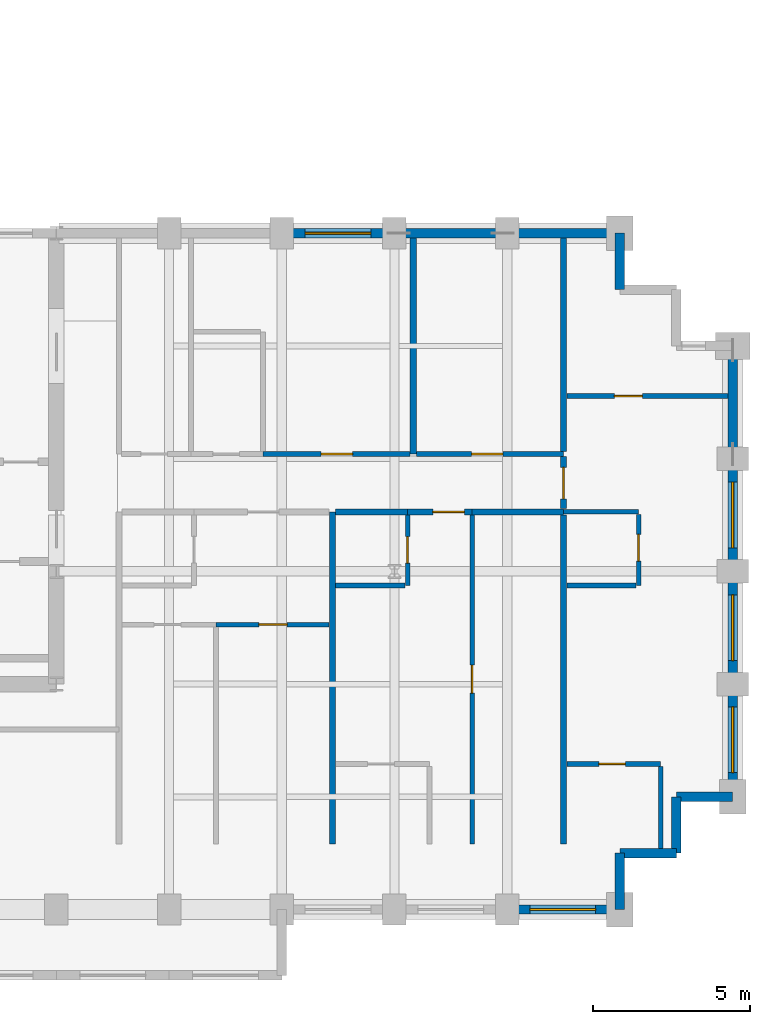
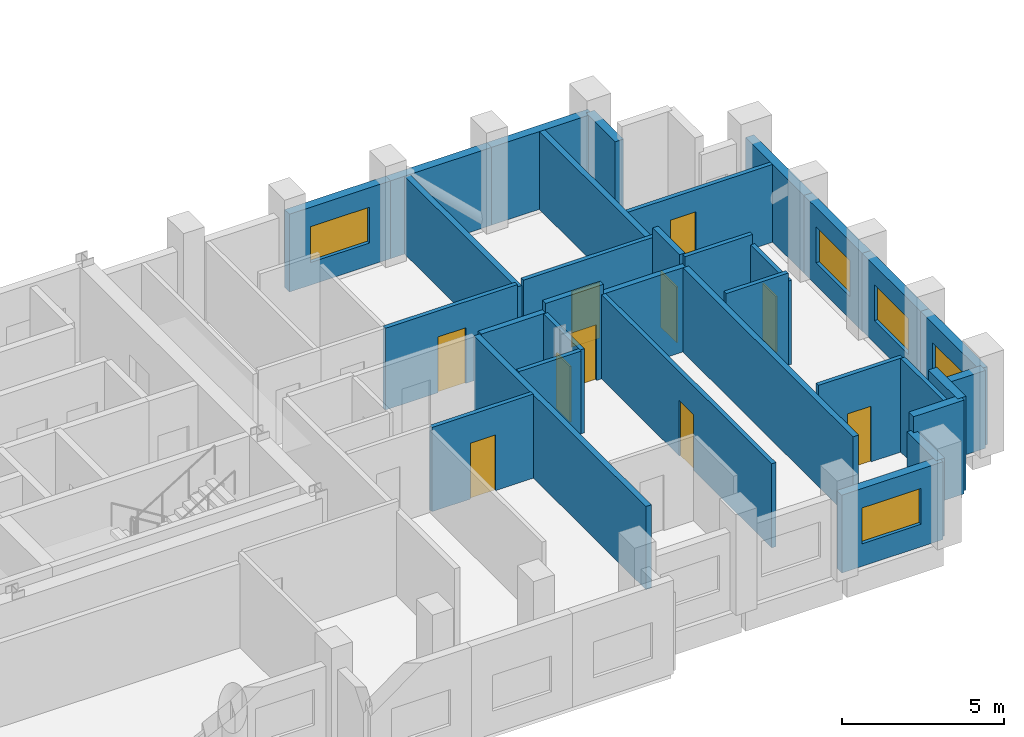
# One storey, part 6 of 9: 33 walls, 10 doors, 5 windows, 15 openings.
"""IFC4 building model written with IfcOpenShell, lengths in metres."""

from ifc_helpers import new_model, si_unit, direction, frame, frame_2d, origin, place, context, subcontext, project, spatial, rectangle, extrude, material, layer, layer_set, type_object, element, fill, save


model = new_model("IFC4")

# Units and contexts
model_context = context("Model", 3, precision=1e-05, world=origin(), true_north=direction((0.0, 1.0)))
body_context = subcontext(model_context, "Body", "Model", "MODEL_VIEW")
ifc_project = project(units=[si_unit("LENGTHUNIT", "METRE"), si_unit("AREAUNIT", "SQUARE_METRE"), si_unit("VOLUMEUNIT", "CUBIC_METRE"), si_unit("PLANEANGLEUNIT", "RADIAN"), si_unit("MASSUNIT", "GRAM", prefix="KILO")], contexts=[model_context])

# Site, building, storey
site_placement = place(None, origin())
site = spatial("IfcSite", under=ifc_project, at=site_placement, CompositionType="ELEMENT")
building_placement = place(site_placement, origin())
building = spatial("IfcBuilding", under=site, at=building_placement, Name="Solnavia Interchange Tower", CompositionType="ELEMENT")
storey_placement = place(building_placement, frame((0.0, 0.0, 131.39990234375)))
storey = spatial("IfcBuildingStorey", under=building, at=storey_placement, Name="L32", CompositionType="ELEMENT", Elevation=131.39990234375)

# Walls
ifc_material_1 = material(Name="Gypsum Acoustic Twin-Stud & Mineral Wool", Category="gypsum")
ifc_layer_1 = layer(ifc_material_1, 0.199951171875)
ifc_layer_set_1 = layer_set([ifc_layer_1], Name="Gypsum Acoustic Twin-Stud & Mineral Wool")
wall_type_1 = type_object("IfcWallType", Name="Wall-ApartmentParty-200", PredefinedType="PARTITIONING", material=ifc_layer_set_1)
wall_1_placement = place(storey_placement, frame((41.219970703125, 5.699951171875, 0.0), z_axis=(0.0, 0.0, 1.0), x_axis=(0.0, 1.0, 0.0)))
element("IfcWall", 1, at=wall_1_placement, inside=storey, type_object=wall_type_1, Name="PTW-L32-16 Interior partition wall", PredefinedType="PARTITIONING", context=body_context, shape_type="SweptSolid", body=[
    extrude(rectangle(XDim=10.60009765625, YDim=0.199951171875, at=frame_2d((5.300048828125, 0.0))), origin(), (0.0, 0.0, 1.0), 3.130126953125),
])
wall_2_placement = place(storey_placement, frame((41.323974609375, 16.300048828125, 0.0), z_axis=(0.0, 0.0, 1.0), x_axis=(1.0, 0.0, 0.0)))
element("IfcWall", 2, at=wall_2_placement, inside=storey, type_object=wall_type_1, Name="PTW-L32-24 Interior partition wall", PredefinedType="PARTITIONING", context=body_context, shape_type="SweptSolid", body=[
    extrude(rectangle(XDim=2.296142578125, YDim=0.199951171875, at=frame_2d((1.14794921875, 0.0))), origin(), (0.0, 0.0, 1.0), 3.18017578125),
])

# Wall, opening, door
wall_3_placement = place(storey_placement, frame((43.6201171875, 16.300048828125, 0.0), z_axis=(0.0, 0.0, 1.0), x_axis=(1.0, 0.0, 0.0)))
wall_3 = element("IfcWall", 3, at=wall_3_placement, inside=storey, type_object=wall_type_1, Name="PTW-L32-27 Interior partition wall", PredefinedType="PARTITIONING", context=body_context, shape_type="SweptSolid", body=[
    extrude(rectangle(XDim=2.059814453125, YDim=0.199951171875, at=frame_2d((1.02978515625, 0.0))), origin(), (0.0, 0.0, 1.0), 3.53515625),
])
opening_1_placement = place(wall_3_placement, frame((0.81005859375, 0.0, 0.0)))
opening_1 = element("IfcOpeningElement", 4, at=opening_1_placement, cuts=wall_3, Name="Opening DR-06", PredefinedType="OPENING", context=body_context, shape_type="SweptSolid", body=[
    extrude(rectangle(XDim=1.0, YDim=2.10009765625, at=frame_2d((0.5, 1.050048828125))), frame((0.0, 0.10986328125, 0.0), z_axis=(0.0, -1.0, 0.0), x_axis=(1.0, 0.0, 0.0)), (0.0, 0.0, 1.0), 0.219970703125),
])
ifc_material_2 = material(Name="Engineered Timber Acoustic Fire Door", Category="wood")
door_type_1 = type_object("IfcDoorType", Name="Door-FlatEntry-1000x2100", OperationType="SINGLE_SWING_LEFT", PredefinedType="DOOR", material=ifc_material_2)
door_1_placement = place(opening_1_placement, origin())
door_1 = element("IfcDoor", 5, at=door_1_placement, inside=storey, type_object=door_type_1, Name="DR-L32-12 Interior room door", OperationType="SINGLE_SWING_LEFT", OverallHeight=2.10009765625, OverallWidth=1.0, PredefinedType="DOOR", context=body_context, shape_type="SweptSolid", body=[
    extrude(rectangle(XDim=1.0, YDim=2.10009765625, at=frame_2d((0.5, 1.050048828125))), frame((0.0, 0.02490234375, 0.0), z_axis=(0.0, -1.0, 0.0), x_axis=(1.0, 0.0, 0.0)), (0.0, 0.0, 1.0), 0.050048828125),
])
fill(opening_1, door_1)

# Walls
wall_4_placement = place(storey_placement, frame((45.679931640625, 16.300048828125, 0.0), z_axis=(0.0, 0.0, 1.0), x_axis=(1.0, 0.0, 0.0)))
element("IfcWall", 6, at=wall_4_placement, inside=storey, type_object=wall_type_1, Name="PTW-L32-28 Interior partition wall", PredefinedType="PARTITIONING", context=body_context, shape_type="SweptSolid", body=[
    extrude(rectangle(XDim=2.920166015625, YDim=0.199951171875, at=frame_2d((1.4599609375, 0.0))), origin(), (0.0, 0.0, 1.0), 3.170166015625),
])
wall_5_placement = place(storey_placement, frame((43.800048828125, 18.14990234375, 0.0), z_axis=(0.0, 0.0, 1.0), x_axis=(0.0, 1.0, 0.0)))
element("IfcWall", 7, at=wall_5_placement, inside=storey, type_object=wall_type_1, Name="PTW-L32-32 Interior partition wall", PredefinedType="PARTITIONING", context=body_context, shape_type="SweptSolid", body=[
    extrude(rectangle(XDim=6.89599609375, YDim=0.199951171875, at=frame_2d((3.447998046875, 0.0))), origin(), (0.0, 0.0, 1.0), 2.93017578125),
])
wall_6_placement = place(storey_placement, frame((48.60009765625, 5.699951171875, 0.0), z_axis=(0.0, 0.0, 1.0), x_axis=(0.0, 1.0, 0.0)))
element("IfcWall", 8, at=wall_6_placement, inside=storey, type_object=wall_type_1, Name="PTW-L32-35 Interior partition wall", PredefinedType="PARTITIONING", context=body_context, shape_type="SweptSolid", body=[
    extrude(rectangle(XDim=10.49609375, YDim=0.199951171875, at=frame_2d((5.248046875, 0.0))), origin(), (0.0, 0.0, 1.0), 3.170166015625),
])
wall_7_placement = place(storey_placement, frame((48.60009765625, 18.22900390625, 0.0), z_axis=(0.0, 0.0, 1.0), x_axis=(0.0, 1.0, 0.0)))
element("IfcWall", 9, at=wall_7_placement, inside=storey, type_object=wall_type_1, Name="PTW-L32-36 Interior partition wall", PredefinedType="PARTITIONING", context=body_context, shape_type="SweptSolid", body=[
    extrude(rectangle(XDim=6.81689453125, YDim=0.199951171875, at=frame_2d((3.408447265625, 0.0))), origin(), (0.0, 0.0, 1.0), 2.93017578125),
])

# Wall, opening, door
wall_8_placement = place(storey_placement, frame((48.60009765625, 16.404052734375, 0.0), z_axis=(0.0, 0.0, 1.0), x_axis=(0.0, 1.0, 0.0)))
wall_8 = element("IfcWall", 10, at=wall_8_placement, inside=storey, type_object=wall_type_1, Name="PTW-L32-37 Interior partition wall", PredefinedType="PARTITIONING", context=body_context, shape_type="SweptSolid", body=[
    extrude(rectangle(XDim=1.6669921875, YDim=0.199951171875, at=frame_2d((0.83349609375, 0.0))), origin(), (0.0, 0.0, 1.0), 3.53515625),
])
opening_2_placement = place(wall_8_placement, frame((0.31396484375, 0.0, 0.0)))
opening_2 = element("IfcOpeningElement", 11, at=opening_2_placement, cuts=wall_8, Name="Opening DR-06", PredefinedType="OPENING", context=body_context, shape_type="SweptSolid", body=[
    extrude(rectangle(XDim=1.0, YDim=2.10009765625, at=frame_2d((0.5, 1.050048828125))), frame((0.0, 0.10986328125, 0.0), z_axis=(0.0, -1.0, 0.0), x_axis=(1.0, 0.0, 0.0)), (0.0, 0.0, 1.0), 0.219970703125),
])
door_2_placement = place(opening_2_placement, origin())
door_2 = element("IfcDoor", 12, at=door_2_placement, inside=storey, type_object=door_type_1, Name="DR-L32-17 Interior room door", OperationType="SINGLE_SWING_RIGHT", OverallHeight=2.10009765625, OverallWidth=1.0, PredefinedType="DOOR", context=body_context, shape_type="SweptSolid", body=[
    extrude(rectangle(XDim=1.0, YDim=2.10009765625, at=frame_2d((0.5, 1.050048828125))), frame((0.0, 0.02490234375, 0.0), z_axis=(0.0, -1.0, 0.0), x_axis=(1.0, 0.0, 0.0)), (0.0, 0.0, 1.0), 0.050048828125),
])
fill(opening_2, door_2)

# Wall, opening, window
ifc_material_3 = material(Name="Concrete C40/50", Category="concrete")
ifc_layer_2 = layer(ifc_material_3, 0.300048828125)
ifc_layer_set_2 = layer_set([ifc_layer_2], Name="Concrete C40/50")
wall_type_2 = type_object("IfcWallType", Name="Wall-ExtSpandrel-300", PredefinedType="STANDARD", material=ifc_layer_set_2)
wall_9_placement = place(storey_placement, frame((50.39990234375, 3.60009765625, 0.0), z_axis=(0.0, 0.0, 1.0), x_axis=(-1.0, 0.0, 0.0)))
wall_9 = element("IfcWall", 13, at=wall_9_placement, inside=storey, type_object=wall_type_2, Name="EXW-L32-09 Exterior precast spandrel wall", PredefinedType="STANDARD", context=body_context, shape_type="SweptSolid", body=[
    extrude(rectangle(XDim=3.599853515625, YDim=0.300048828125, at=frame_2d((1.7998046875, 0.0))), origin(), (0.0, 0.0, 1.0), 2.93017578125),
])
opening_3_placement = place(wall_9_placement, frame((0.77490234375, 0.0, 0.85009765625)))
opening_3 = element("IfcOpeningElement", 14, at=opening_3_placement, cuts=wall_9, Name="Opening WIN-01", PredefinedType="OPENING", context=body_context, shape_type="SweptSolid", body=[
    extrude(rectangle(XDim=2.10009765625, YDim=1.35009765625, at=frame_2d((1.050048828125, 0.675048828125))), frame((0.0, 0.16015625, 0.0), z_axis=(0.0, -1.0, 0.0), x_axis=(1.0, 0.0, 0.0)), (0.0, 0.0, 1.0), 0.320068359375),
])
ifc_material_4 = material(Name="Thermal-Break Aluminium & Low-E Glass", Category="aluminium")
window_type = type_object("IfcWindowType", Name="Window-Ribbon-2100x1350", PartitioningType="SINGLE_PANEL", PredefinedType="WINDOW", material=ifc_material_4)
window_1_placement = place(opening_3_placement, origin())
window_1 = element("IfcWindow", 15, at=window_1_placement, inside=storey, type_object=window_type, Name="WIN-L32-09 Facade ribbon window", OverallHeight=1.35009765625, OverallWidth=2.10009765625, PartitioningType="SINGLE_PANEL", PredefinedType="WINDOW", context=body_context, shape_type="SweptSolid", body=[
    extrude(rectangle(XDim=2.10009765625, YDim=1.35009765625, at=frame_2d((1.050048828125, 0.675048828125))), frame((0.0, 0.030029296875, 0.0), z_axis=(0.0, -1.0, 0.0), x_axis=(1.0, 0.0, 0.0)), (0.0, 0.0, 1.0), 0.06005859375),
])
fill(opening_3, window_1)

# Walls
wall_10_placement = place(storey_placement, frame((50.39990234375, 5.39990234375, 0.0), z_axis=(0.0, 0.0, 1.0), x_axis=(0.0, -1.0, 0.0)))
element("IfcWall", 16, at=wall_10_placement, inside=storey, type_object=wall_type_2, Name="EXW-L32-10 Exterior precast spandrel wall", PredefinedType="STANDARD", context=body_context, shape_type="SweptSolid", body=[
    extrude(rectangle(XDim=1.7998046875, YDim=0.300048828125, at=frame_2d((0.89990234375, 0.0))), origin(), (0.0, 0.0, 1.0), 2.93017578125),
])
for number, where, z_axis, x_axis, name in (
    (17, (52.199951171875, 5.39990234375, 0.0), (0.0, 0.0, 1.0), (-1.0, 0.0, 0.0), "EXW-L32-11 Exterior precast spandrel wall"),
    (18, (52.199951171875, 7.199951171875, 0.0), (0.0, 0.0, 1.0), (0.0, -1.0, 0.0), "EXW-L32-12 Exterior precast spandrel wall"),
):
    element("IfcWall", number, at=place(storey_placement, frame(where, z_axis=z_axis, x_axis=x_axis)), inside=storey, type_object=wall_type_2, Name=name, PredefinedType="STANDARD", context=body_context, shape_type="SweptSolid", body=[
        extrude(rectangle(XDim=1.800048828125, YDim=0.300048828125, at=frame_2d((0.89990234375, 0.0))), origin(), (0.0, 0.0, 1.0), 3.53515625),
    ])
wall_11_placement = place(storey_placement, frame((54.0, 7.199951171875, 0.0), z_axis=(0.0, 0.0, 1.0), x_axis=(-1.0, 0.0, 0.0)))
element("IfcWall", 19, at=wall_11_placement, inside=storey, type_object=wall_type_2, Name="EXW-L32-13 Exterior precast spandrel wall", PredefinedType="STANDARD", context=body_context, shape_type="SweptSolid", body=[
    extrude(rectangle(XDim=1.800048828125, YDim=0.300048828125, at=frame_2d((0.89990234375, 0.0))), origin(), (0.0, 0.0, 1.0), 2.93017578125),
])

# Wall, opening, window
wall_12_placement = place(storey_placement, frame((54.0, 10.800048828125, 0.0), z_axis=(0.0, 0.0, 1.0), x_axis=(0.0, -1.0, 0.0)))
wall_12 = element("IfcWall", 20, at=wall_12_placement, inside=storey, type_object=wall_type_2, Name="EXW-L32-14 Exterior precast spandrel wall", PredefinedType="STANDARD", context=body_context, shape_type="SweptSolid", body=[
    extrude(rectangle(XDim=3.60009765625, YDim=0.300048828125, at=frame_2d((1.800048828125, 0.0))), origin(), (0.0, 0.0, 1.0), 2.93017578125),
])
opening_4_placement = place(wall_12_placement, frame((0.72509765625, 0.0, 0.85009765625)))
opening_4 = element("IfcOpeningElement", 21, at=opening_4_placement, cuts=wall_12, Name="Opening WIN-01", PredefinedType="OPENING", context=body_context, shape_type="SweptSolid", body=[
    extrude(rectangle(XDim=2.10009765625, YDim=1.35009765625, at=frame_2d((1.050048828125, 0.675048828125))), frame((0.0, 0.16015625, 0.0), z_axis=(0.0, -1.0, 0.0), x_axis=(1.0, 0.0, 0.0)), (0.0, 0.0, 1.0), 0.320068359375),
])
window_2_placement = place(opening_4_placement, origin())
window_2 = element("IfcWindow", 22, at=window_2_placement, inside=storey, type_object=window_type, Name="WIN-L32-14 Facade ribbon window", OverallHeight=1.35009765625, OverallWidth=2.10009765625, PartitioningType="SINGLE_PANEL", PredefinedType="WINDOW", context=body_context, shape_type="SweptSolid", body=[
    extrude(rectangle(XDim=2.10009765625, YDim=1.35009765625, at=frame_2d((1.050048828125, 0.675048828125))), frame((0.0, 0.030029296875, 0.0), z_axis=(0.0, -1.0, 0.0), x_axis=(1.0, 0.0, 0.0)), (0.0, 0.0, 1.0), 0.06005859375),
])
fill(opening_4, window_2)

wall_13_placement = place(storey_placement, frame((54.0, 14.39990234375, 0.0), z_axis=(0.0, 0.0, 1.0), x_axis=(0.0, -1.0, 0.0)))
wall_13 = element("IfcWall", 23, at=wall_13_placement, inside=storey, type_object=wall_type_2, Name="EXW-L32-15 Exterior precast spandrel wall", PredefinedType="STANDARD", context=body_context, shape_type="SweptSolid", body=[
    extrude(rectangle(XDim=3.599853515625, YDim=0.300048828125, at=frame_2d((1.7998046875, 0.0))), origin(), (0.0, 0.0, 1.0), 2.93017578125),
])
opening_5_placement = place(wall_13_placement, frame((0.75, 0.0, 0.85009765625)))
opening_5 = element("IfcOpeningElement", 24, at=opening_5_placement, cuts=wall_13, Name="Opening WIN-01", PredefinedType="OPENING", context=body_context, shape_type="SweptSolid", body=[
    extrude(rectangle(XDim=2.10009765625, YDim=1.35009765625, at=frame_2d((1.050048828125, 0.675048828125))), frame((0.0, 0.16015625, 0.0), z_axis=(0.0, -1.0, 0.0), x_axis=(1.0, 0.0, 0.0)), (0.0, 0.0, 1.0), 0.320068359375),
])
window_3_placement = place(opening_5_placement, origin())
window_3 = element("IfcWindow", 25, at=window_3_placement, inside=storey, type_object=window_type, Name="WIN-L32-15 Facade ribbon window", OverallHeight=1.35009765625, OverallWidth=2.10009765625, PartitioningType="SINGLE_PANEL", PredefinedType="WINDOW", context=body_context, shape_type="SweptSolid", body=[
    extrude(rectangle(XDim=2.10009765625, YDim=1.35009765625, at=frame_2d((1.050048828125, 0.675048828125))), frame((0.0, 0.030029296875, 0.0), z_axis=(0.0, -1.0, 0.0), x_axis=(1.0, 0.0, 0.0)), (0.0, 0.0, 1.0), 0.06005859375),
])
fill(opening_5, window_3)

wall_14_placement = place(storey_placement, frame((54.0, 18.0, 0.0), z_axis=(0.0, 0.0, 1.0), x_axis=(0.0, -1.0, 0.0)))
wall_14 = element("IfcWall", 26, at=wall_14_placement, inside=storey, type_object=wall_type_2, Name="EXW-L32-16 Exterior precast spandrel wall", PredefinedType="STANDARD", context=body_context, shape_type="SweptSolid", body=[
    extrude(rectangle(XDim=3.60009765625, YDim=0.300048828125, at=frame_2d((1.800048828125, 0.0))), origin(), (0.0, 0.0, 1.0), 2.93017578125),
])
opening_6_placement = place(wall_14_placement, frame((0.75, 0.0, 0.85009765625)))
opening_6 = element("IfcOpeningElement", 27, at=opening_6_placement, cuts=wall_14, Name="Opening WIN-01", PredefinedType="OPENING", context=body_context, shape_type="SweptSolid", body=[
    extrude(rectangle(XDim=2.10009765625, YDim=1.35009765625, at=frame_2d((1.050048828125, 0.675048828125))), frame((0.0, 0.16015625, 0.0), z_axis=(0.0, -1.0, 0.0), x_axis=(1.0, 0.0, 0.0)), (0.0, 0.0, 1.0), 0.320068359375),
])
window_4_placement = place(opening_6_placement, origin())
window_4 = element("IfcWindow", 28, at=window_4_placement, inside=storey, type_object=window_type, Name="WIN-L32-16 Facade ribbon window", OverallHeight=1.35009765625, OverallWidth=2.10009765625, PartitioningType="SINGLE_PANEL", PredefinedType="WINDOW", context=body_context, shape_type="SweptSolid", body=[
    extrude(rectangle(XDim=2.10009765625, YDim=1.35009765625, at=frame_2d((1.050048828125, 0.675048828125))), frame((0.0, 0.030029296875, 0.0), z_axis=(0.0, -1.0, 0.0), x_axis=(1.0, 0.0, 0.0)), (0.0, 0.0, 1.0), 0.06005859375),
])
fill(opening_6, window_4)

# Walls
wall_15_placement = place(storey_placement, frame((54.0, 21.60009765625, 0.0), z_axis=(0.0, 0.0, 1.0), x_axis=(0.0, -1.0, 0.0)))
element("IfcWall", 29, at=wall_15_placement, inside=storey, type_object=wall_type_2, Name="EXW-L32-17 Exterior precast spandrel wall", PredefinedType="STANDARD", context=body_context, shape_type="SweptSolid", body=[
    extrude(rectangle(XDim=3.60009765625, YDim=0.300048828125, at=frame_2d((1.800048828125, 0.0))), origin(), (0.0, 0.0, 1.0), 2.93017578125),
])
wall_16_placement = place(storey_placement, frame((50.39990234375, 25.199951171875, 0.0), z_axis=(0.0, 0.0, 1.0), x_axis=(0.0, -1.0, 0.0)))
element("IfcWall", 30, at=wall_16_placement, inside=storey, type_object=wall_type_2, Name="EXW-L32-21 Exterior precast spandrel wall", PredefinedType="STANDARD", context=body_context, shape_type="SweptSolid", body=[
    extrude(rectangle(XDim=1.800048828125, YDim=0.300048828125, at=frame_2d((0.89990234375, 0.0))), origin(), (0.0, 0.0, 1.0), 2.93017578125),
])
wall_17_placement = place(storey_placement, frame((46.800048828125, 25.199951171875, 0.0), z_axis=(0.0, 0.0, 1.0), x_axis=(1.0, 0.0, 0.0)))
element("IfcWall", 31, at=wall_17_placement, inside=storey, type_object=wall_type_2, Name="EXW-L32-22 Exterior precast spandrel wall", PredefinedType="STANDARD", context=body_context, shape_type="SweptSolid", body=[
    extrude(rectangle(XDim=3.599853515625, YDim=0.300048828125, at=frame_2d((1.7998046875, 0.0))), origin(), (0.0, 0.0, 1.0), 2.93017578125),
])
wall_18_placement = place(storey_placement, frame((43.199951171875, 25.199951171875, 0.0), z_axis=(0.0, 0.0, 1.0), x_axis=(1.0, 0.0, 0.0)))
element("IfcWall", 32, at=wall_18_placement, inside=storey, type_object=wall_type_2, Name="EXW-L32-23 Exterior precast spandrel wall", PredefinedType="STANDARD", context=body_context, shape_type="SweptSolid", body=[
    extrude(rectangle(XDim=3.60009765625, YDim=0.300048828125, at=frame_2d((1.800048828125, 0.0))), origin(), (0.0, 0.0, 1.0), 2.93017578125),
])

# Wall, opening, window
wall_19_placement = place(storey_placement, frame((39.60009765625, 25.199951171875, 0.0), z_axis=(0.0, 0.0, 1.0), x_axis=(1.0, 0.0, 0.0)))
wall_19 = element("IfcWall", 33, at=wall_19_placement, inside=storey, type_object=wall_type_2, Name="EXW-L32-24 Exterior precast spandrel wall", PredefinedType="STANDARD", context=body_context, shape_type="SweptSolid", body=[
    extrude(rectangle(XDim=3.599853515625, YDim=0.300048828125, at=frame_2d((1.7998046875, 0.0))), origin(), (0.0, 0.0, 1.0), 2.93017578125),
])
opening_7_placement = place(wall_19_placement, frame((0.75, 0.0, 0.85009765625)))
opening_7 = element("IfcOpeningElement", 34, at=opening_7_placement, cuts=wall_19, Name="Opening WIN-01", PredefinedType="OPENING", context=body_context, shape_type="SweptSolid", body=[
    extrude(rectangle(XDim=2.10009765625, YDim=1.35009765625, at=frame_2d((1.050048828125, 0.675048828125))), frame((0.0, 0.16015625, 0.0), z_axis=(0.0, -1.0, 0.0), x_axis=(1.0, 0.0, 0.0)), (0.0, 0.0, 1.0), 0.320068359375),
])
window_5_placement = place(opening_7_placement, origin())
window_5 = element("IfcWindow", 35, at=window_5_placement, inside=storey, type_object=window_type, Name="WIN-L32-24 Facade ribbon window", OverallHeight=1.35009765625, OverallWidth=2.10009765625, PartitioningType="SINGLE_PANEL", PredefinedType="WINDOW", context=body_context, shape_type="SweptSolid", body=[
    extrude(rectangle(XDim=2.10009765625, YDim=1.35009765625, at=frame_2d((1.050048828125, 0.675048828125))), frame((0.0, 0.030029296875, 0.0), z_axis=(0.0, -1.0, 0.0), x_axis=(1.0, 0.0, 0.0)), (0.0, 0.0, 1.0), 0.06005859375),
])
fill(opening_7, window_5)

# Wall, opening, door
ifc_material_5 = material(Name="Gypsum Plasterboard & Steel Stud", Category="steel")
ifc_layer_3 = layer(ifc_material_5, 0.14990234375)
ifc_layer_set_3 = layer_set([ifc_layer_3], Name="Gypsum Plasterboard & Steel Stud")
wall_type_3 = type_object("IfcWallType", Name="Wall-Partition-150", PredefinedType="PARTITIONING", material=ifc_layer_set_3)
wall_20_placement = place(storey_placement, frame((37.5, 12.699951171875, 0.0), z_axis=(0.0, 0.0, 1.0), x_axis=(1.0, 0.0, 0.0)))
wall_20 = element("IfcWall", 36, at=wall_20_placement, inside=storey, type_object=wall_type_3, Name="PTW-L32-21 Interior partition wall", PredefinedType="PARTITIONING", context=body_context, shape_type="SweptSolid", body=[
    extrude(rectangle(XDim=3.615966796875, YDim=0.14990234375, at=frame_2d((1.80810546875, 0.0))), origin(), (0.0, 0.0, 1.0), 3.170166015625),
])
opening_8_placement = place(wall_20_placement, frame((1.37109375, 0.0, 0.0)))
opening_8 = element("IfcOpeningElement", 37, at=opening_8_placement, cuts=wall_20, Name="Opening DR-09", PredefinedType="OPENING", context=body_context, shape_type="SweptSolid", body=[
    extrude(rectangle(XDim=0.89990234375, YDim=2.10009765625, at=frame_2d((0.449951171875, 1.050048828125))), frame((0.0, 0.0849609375, 0.0), z_axis=(0.0, -1.0, 0.0), x_axis=(1.0, 0.0, 0.0)), (0.0, 0.0, 1.0), 0.169921875),
])
ifc_material_6 = material(Name="Engineered Oak Veneer Door", Category="wood")
door_type_2 = type_object("IfcDoorType", Name="Door-Internal-900x2100", OperationType="SINGLE_SWING_LEFT", PredefinedType="DOOR", material=ifc_material_6)
door_3_placement = place(opening_8_placement, origin())
door_3 = element("IfcDoor", 38, at=door_3_placement, inside=storey, type_object=door_type_2, Name="DR-L32-09 Interior room door", OperationType="SINGLE_SWING_RIGHT", OverallHeight=2.10009765625, OverallWidth=0.89990234375, PredefinedType="DOOR", context=body_context, shape_type="SweptSolid", body=[
    extrude(rectangle(XDim=0.89990234375, YDim=2.10009765625, at=frame_2d((0.449951171875, 1.050048828125))), frame((0.0, 0.02490234375, 0.0), z_axis=(0.0, -1.0, 0.0), x_axis=(1.0, 0.0, 0.0)), (0.0, 0.0, 1.0), 0.050048828125),
])
fill(opening_8, door_3)

wall_21_placement = place(storey_placement, frame((45.679931640625, 5.699951171875, 0.0), z_axis=(0.0, 0.0, 1.0), x_axis=(0.0, 1.0, 0.0)))
wall_21 = element("IfcWall", 39, at=wall_21_placement, inside=storey, type_object=wall_type_3, Name="PTW-L32-29 Interior partition wall", PredefinedType="PARTITIONING", context=body_context, shape_type="SweptSolid", body=[
    extrude(rectangle(XDim=10.49609375, YDim=0.14990234375, at=frame_2d((5.248046875, 0.0))), origin(), (0.0, 0.0, 1.0), 3.170166015625),
])
opening_9_placement = place(wall_21_placement, frame((4.81005859375, 0.0, 0.0)))
opening_9 = element("IfcOpeningElement", 40, at=opening_9_placement, cuts=wall_21, Name="Opening DR-09", PredefinedType="OPENING", context=body_context, shape_type="SweptSolid", body=[
    extrude(rectangle(XDim=0.89990234375, YDim=2.10009765625, at=frame_2d((0.449951171875, 1.050048828125))), frame((0.0, 0.0849609375, 0.0), z_axis=(0.0, -1.0, 0.0), x_axis=(1.0, 0.0, 0.0)), (0.0, 0.0, 1.0), 0.169921875),
])
door_4_placement = place(opening_9_placement, origin())
door_4 = element("IfcDoor", 41, at=door_4_placement, inside=storey, type_object=door_type_2, Name="DR-L32-13 Interior room door", OperationType="SINGLE_SWING_RIGHT", OverallHeight=2.10009765625, OverallWidth=0.89990234375, PredefinedType="DOOR", context=body_context, shape_type="SweptSolid", body=[
    extrude(rectangle(XDim=0.89990234375, YDim=2.10009765625, at=frame_2d((0.449951171875, 1.050048828125))), frame((0.0, 0.02490234375, 0.0), z_axis=(0.0, -1.0, 0.0), x_axis=(1.0, 0.0, 0.0)), (0.0, 0.0, 1.0), 0.050048828125),
])
fill(opening_9, door_4)

wall_22_placement = place(storey_placement, frame((39.0, 18.14990234375, 0.0), z_axis=(0.0, 0.0, 1.0), x_axis=(1.0, 0.0, 0.0)))
wall_22 = element("IfcWall", 42, at=wall_22_placement, inside=storey, type_object=wall_type_3, Name="PTW-L32-33 Interior partition wall", PredefinedType="PARTITIONING", context=body_context, shape_type="SweptSolid", body=[
    extrude(rectangle(XDim=4.696044921875, YDim=0.14990234375, at=frame_2d((2.34814453125, 0.0))), origin(), (0.0, 0.0, 1.0), 3.080078125),
])
opening_10_placement = place(wall_22_placement, frame((1.861083984375, 0.0, 0.0)))
opening_10 = element("IfcOpeningElement", 43, at=opening_10_placement, cuts=wall_22, Name="Opening DR-07", PredefinedType="OPENING", context=body_context, shape_type="SweptSolid", body=[
    extrude(rectangle(XDim=1.0, YDim=2.10009765625, at=frame_2d((0.5, 1.050048828125))), frame((0.0, 0.0849609375, 0.0), z_axis=(0.0, -1.0, 0.0), x_axis=(1.0, 0.0, 0.0)), (0.0, 0.0, 1.0), 0.169921875),
])
ifc_material_7 = material(Name="Timber & Acoustic Glazed Office Door", Category="wood")
door_type_3 = type_object("IfcDoorType", Name="Door-Office-1000x2100", OperationType="SINGLE_SWING_RIGHT", PredefinedType="DOOR", material=ifc_material_7)
door_5_placement = place(opening_10_placement, origin())
door_5 = element("IfcDoor", 44, at=door_5_placement, inside=storey, type_object=door_type_3, Name="DR-L32-15 Interior room door", OperationType="SINGLE_SWING_RIGHT", OverallHeight=2.10009765625, OverallWidth=1.0, PredefinedType="DOOR", context=body_context, shape_type="SweptSolid", body=[
    extrude(rectangle(XDim=1.0, YDim=2.10009765625, at=frame_2d((0.5, 1.050048828125))), frame((0.0, 0.02490234375, 0.0), z_axis=(0.0, -1.0, 0.0), x_axis=(1.0, 0.0, 0.0)), (0.0, 0.0, 1.0), 0.050048828125),
])
fill(opening_10, door_5)

wall_23_placement = place(storey_placement, frame((43.904052734375, 18.14990234375, 0.0), z_axis=(0.0, 0.0, 1.0), x_axis=(1.0, 0.0, 0.0)))
wall_23 = element("IfcWall", 45, at=wall_23_placement, inside=storey, type_object=wall_type_3, Name="PTW-L32-34 Interior partition wall", PredefinedType="PARTITIONING", context=body_context, shape_type="SweptSolid", body=[
    extrude(rectangle(XDim=4.696044921875, YDim=0.14990234375, at=frame_2d((2.34814453125, 0.0))), origin(), (0.0, 0.0, 1.0), 3.170166015625),
])
opening_11_placement = place(wall_23_placement, frame((1.757080078125, 0.0, 0.0)))
opening_11 = element("IfcOpeningElement", 46, at=opening_11_placement, cuts=wall_23, Name="Opening DR-07", PredefinedType="OPENING", context=body_context, shape_type="SweptSolid", body=[
    extrude(rectangle(XDim=1.0, YDim=2.10009765625, at=frame_2d((0.5, 1.050048828125))), frame((0.0, 0.0849609375, 0.0), z_axis=(0.0, -1.0, 0.0), x_axis=(1.0, 0.0, 0.0)), (0.0, 0.0, 1.0), 0.169921875),
])
door_6_placement = place(opening_11_placement, origin())
door_6 = element("IfcDoor", 47, at=door_6_placement, inside=storey, type_object=door_type_3, Name="DR-L32-16 Interior room door", OperationType="SINGLE_SWING_RIGHT", OverallHeight=2.10009765625, OverallWidth=1.0, PredefinedType="DOOR", context=body_context, shape_type="SweptSolid", body=[
    extrude(rectangle(XDim=1.0, YDim=2.10009765625, at=frame_2d((0.5, 1.050048828125))), frame((0.0, 0.02490234375, 0.0), z_axis=(0.0, -1.0, 0.0), x_axis=(1.0, 0.0, 0.0)), (0.0, 0.0, 1.0), 0.050048828125),
])
fill(opening_11, door_6)

wall_24_placement = place(storey_placement, frame((48.7041015625, 20.0, 0.0), z_axis=(0.0, 0.0, 1.0), x_axis=(1.0, 0.0, 0.0)))
wall_24 = element("IfcWall", 48, at=wall_24_placement, inside=storey, type_object=wall_type_3, Name="PTW-L32-41 Interior partition wall", PredefinedType="PARTITIONING", context=body_context, shape_type="SweptSolid", body=[
    extrude(rectangle(XDim=5.141845703125, YDim=0.14990234375, at=frame_2d((2.57080078125, 0.0))), origin(), (0.0, 0.0, 1.0), 2.93017578125),
])
opening_12_placement = place(wall_24_placement, frame((1.51611328125, 0.0, 0.0)))
opening_12 = element("IfcOpeningElement", 49, at=opening_12_placement, cuts=wall_24, Name="Opening DR-09", PredefinedType="OPENING", context=body_context, shape_type="SweptSolid", body=[
    extrude(rectangle(XDim=0.89990234375, YDim=2.10009765625, at=frame_2d((0.449951171875, 1.050048828125))), frame((0.0, 0.0849609375, 0.0), z_axis=(0.0, -1.0, 0.0), x_axis=(1.0, 0.0, 0.0)), (0.0, 0.0, 1.0), 0.169921875),
])
door_7_placement = place(opening_12_placement, origin())
door_7 = element("IfcDoor", 50, at=door_7_placement, inside=storey, type_object=door_type_2, Name="DR-L32-19 Interior room door", OperationType="SINGLE_SWING_LEFT", OverallHeight=2.10009765625, OverallWidth=0.89990234375, PredefinedType="DOOR", context=body_context, shape_type="SweptSolid", body=[
    extrude(rectangle(XDim=0.89990234375, YDim=2.10009765625, at=frame_2d((0.449951171875, 1.050048828125))), frame((0.0, 0.02490234375, 0.0), z_axis=(0.0, -1.0, 0.0), x_axis=(1.0, 0.0, 0.0)), (0.0, 0.0, 1.0), 0.050048828125),
])
fill(opening_12, door_7)

ifc_material_8 = material(Name="Moisture-Resistant Gypsum & Steel Stud", Category="steel")
ifc_layer_4 = layer(ifc_material_8, 0.14990234375)
ifc_layer_set_4 = layer_set([ifc_layer_4], Name="Moisture-Resistant Gypsum & Steel Stud")
wall_type_4 = type_object("IfcWallType", Name="Wall-WetRoom-150", PredefinedType="PARTITIONING", material=ifc_layer_set_4)
wall_25_placement = place(storey_placement, frame((43.6201171875, 13.949951171875, 0.0), z_axis=(0.0, 0.0, 1.0), x_axis=(0.0, 1.0, 0.0)))
wall_25 = element("IfcWall", 51, at=wall_25_placement, inside=storey, type_object=wall_type_4, Name="PTW-L32-25 Interior partition wall", PredefinedType="PARTITIONING", context=body_context, shape_type="SweptSolid", body=[
    extrude(rectangle(XDim=2.24609375, YDim=0.14990234375, at=frame_2d((1.123046875, 0.0))), origin(), (0.0, 0.0, 1.0), 3.170166015625),
])
opening_13_placement = place(wall_25_placement, frame((0.7119140625, 0.0, 0.0)))
opening_13 = element("IfcOpeningElement", 52, at=opening_13_placement, cuts=wall_25, Name="Opening DR-10", PredefinedType="OPENING", context=body_context, shape_type="SweptSolid", body=[
    extrude(rectangle(XDim=0.85009765625, YDim=2.10009765625, at=frame_2d((0.425048828125, 1.050048828125))), frame((0.0, 0.0849609375, 0.0), z_axis=(0.0, -1.0, 0.0), x_axis=(1.0, 0.0, 0.0)), (0.0, 0.0, 1.0), 0.169921875),
])
ifc_material_9 = material(Name="Moisture-Resistant Timber Door", Category="wood")
door_type_4 = type_object("IfcDoorType", Name="Door-Bathroom-850x2100", OperationType="SINGLE_SWING_RIGHT", PredefinedType="DOOR", material=ifc_material_9)
door_8_placement = place(opening_13_placement, origin())
door_8 = element("IfcDoor", 53, at=door_8_placement, inside=storey, type_object=door_type_4, Name="DR-L32-11 Interior room door", OperationType="SINGLE_SWING_RIGHT", OverallHeight=2.10009765625, OverallWidth=0.85009765625, PredefinedType="DOOR", context=body_context, shape_type="SweptSolid", body=[
    extrude(rectangle(XDim=0.85009765625, YDim=2.10009765625, at=frame_2d((0.425048828125, 1.050048828125))), frame((0.0, 0.02490234375, 0.0), z_axis=(0.0, -1.0, 0.0), x_axis=(1.0, 0.0, 0.0)), (0.0, 0.0, 1.0), 0.050048828125),
])
fill(opening_13, door_8)

# Walls
wall_26_placement = place(storey_placement, frame((41.323974609375, 13.949951171875, 0.0), z_axis=(0.0, 0.0, 1.0), x_axis=(1.0, 0.0, 0.0)))
element("IfcWall", 54, at=wall_26_placement, inside=storey, type_object=wall_type_4, Name="PTW-L32-26 Interior partition wall", PredefinedType="PARTITIONING", context=body_context, shape_type="SweptSolid", body=[
    extrude(rectangle(XDim=2.217041015625, YDim=0.14990234375, at=frame_2d((1.1083984375, 0.0))), origin(), (0.0, 0.0, 1.0), 3.18017578125),
])
wall_27_placement = place(storey_placement, frame((48.60009765625, 16.300048828125, 0.0), z_axis=(0.0, 0.0, 1.0), x_axis=(1.0, 0.0, 0.0)))
element("IfcWall", 55, at=wall_27_placement, inside=storey, type_object=wall_type_4, Name="PTW-L32-38 Interior partition wall", PredefinedType="PARTITIONING", context=body_context, shape_type="SweptSolid", body=[
    extrude(rectangle(XDim=2.39990234375, YDim=0.14990234375, at=frame_2d((1.199951171875, 0.0))), origin(), (0.0, 0.0, 1.0), 3.53515625),
])

# Wall, opening, door
wall_28_placement = place(storey_placement, frame((51.0, 13.949951171875, 0.0), z_axis=(0.0, 0.0, 1.0), x_axis=(0.0, 1.0, 0.0)))
wall_28 = element("IfcWall", 56, at=wall_28_placement, inside=storey, type_object=wall_type_4, Name="PTW-L32-39 Interior partition wall", PredefinedType="PARTITIONING", context=body_context, shape_type="SweptSolid", body=[
    extrude(rectangle(XDim=2.27099609375, YDim=0.14990234375, at=frame_2d((1.135498046875, 0.0))), origin(), (0.0, 0.0, 1.0), 3.170166015625),
])
opening_14_placement = place(wall_28_placement, frame((0.780029296875, 0.0, 0.0)))
opening_14 = element("IfcOpeningElement", 57, at=opening_14_placement, cuts=wall_28, Name="Opening DR-10", PredefinedType="OPENING", context=body_context, shape_type="SweptSolid", body=[
    extrude(rectangle(XDim=0.85009765625, YDim=2.10009765625, at=frame_2d((0.425048828125, 1.050048828125))), frame((0.0, 0.0849609375, 0.0), z_axis=(0.0, -1.0, 0.0), x_axis=(1.0, 0.0, 0.0)), (0.0, 0.0, 1.0), 0.169921875),
])
door_9_placement = place(opening_14_placement, origin())
door_9 = element("IfcDoor", 58, at=door_9_placement, inside=storey, type_object=door_type_4, Name="DR-L32-18 Interior room door", OperationType="SINGLE_SWING_RIGHT", OverallHeight=2.10009765625, OverallWidth=0.85009765625, PredefinedType="DOOR", context=body_context, shape_type="SweptSolid", body=[
    extrude(rectangle(XDim=0.85009765625, YDim=2.10009765625, at=frame_2d((0.425048828125, 1.050048828125))), frame((0.0, 0.02490234375, 0.0), z_axis=(0.0, -1.0, 0.0), x_axis=(1.0, 0.0, 0.0)), (0.0, 0.0, 1.0), 0.050048828125),
])
fill(opening_14, door_9)

# Wall
wall_29_placement = place(storey_placement, frame((48.7041015625, 13.949951171875, 0.0), z_axis=(0.0, 0.0, 1.0), x_axis=(1.0, 0.0, 0.0)))
element("IfcWall", 59, at=wall_29_placement, inside=storey, type_object=wall_type_4, Name="PTW-L32-40 Interior partition wall", PredefinedType="PARTITIONING", context=body_context, shape_type="SweptSolid", body=[
    extrude(rectangle(XDim=2.216796875, YDim=0.14990234375, at=frame_2d((1.1083984375, 0.0))), origin(), (0.0, 0.0, 1.0), 3.53515625),
])

# Wall, opening, door
wall_30_placement = place(storey_placement, frame((48.7041015625, 8.25, 0.0), z_axis=(0.0, 0.0, 1.0), x_axis=(1.0, 0.0, 0.0)))
wall_30 = element("IfcWall", 60, at=wall_30_placement, inside=storey, type_object=wall_type_4, Name="PTW-L32-42 Interior partition wall", PredefinedType="PARTITIONING", context=body_context, shape_type="SweptSolid", body=[
    extrude(rectangle(XDim=2.995849609375, YDim=0.14990234375, at=frame_2d((1.498046875, 0.0))), origin(), (0.0, 0.0, 1.0), 3.53515625),
])
opening_15_placement = place(wall_30_placement, frame((1.02099609375, 0.0, 0.0)))
opening_15 = element("IfcOpeningElement", 61, at=opening_15_placement, cuts=wall_30, Name="Opening DR-10", PredefinedType="OPENING", context=body_context, shape_type="SweptSolid", body=[
    extrude(rectangle(XDim=0.85009765625, YDim=2.10009765625, at=frame_2d((0.425048828125, 1.050048828125))), frame((0.0, 0.0849609375, 0.0), z_axis=(0.0, -1.0, 0.0), x_axis=(1.0, 0.0, 0.0)), (0.0, 0.0, 1.0), 0.169921875),
])
door_10_placement = place(opening_15_placement, origin())
door_10 = element("IfcDoor", 62, at=door_10_placement, inside=storey, type_object=door_type_4, Name="DR-L32-20 Interior room door", OperationType="SINGLE_SWING_RIGHT", OverallHeight=2.10009765625, OverallWidth=0.85009765625, PredefinedType="DOOR", context=body_context, shape_type="SweptSolid", body=[
    extrude(rectangle(XDim=0.85009765625, YDim=2.10009765625, at=frame_2d((0.425048828125, 1.050048828125))), frame((0.0, 0.02490234375, 0.0), z_axis=(0.0, -1.0, 0.0), x_axis=(1.0, 0.0, 0.0)), (0.0, 0.0, 1.0), 0.050048828125),
])
fill(opening_15, door_10)

# Wall
wall_31_placement = place(storey_placement, frame((51.699951171875, 5.553955078125, 0.0), z_axis=(0.0, 0.0, 1.0), x_axis=(0.0, 1.0, 0.0)))
element("IfcWall", 63, at=wall_31_placement, inside=storey, type_object=wall_type_4, Name="PTW-L32-43 Interior partition wall", PredefinedType="PARTITIONING", context=body_context, shape_type="SweptSolid", body=[
    extrude(rectangle(XDim=2.616943359375, YDim=0.14990234375, at=frame_2d((1.30859375, 0.0))), origin(), (0.0, 0.0, 1.0), 3.53515625),
])

save(model, "model.ifc")
